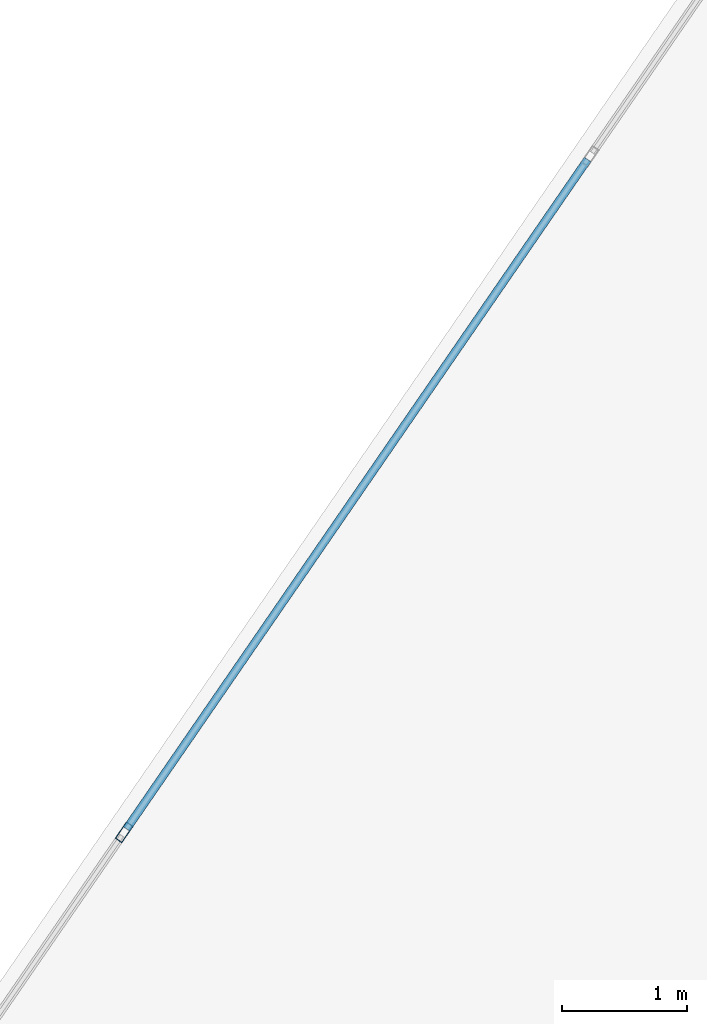
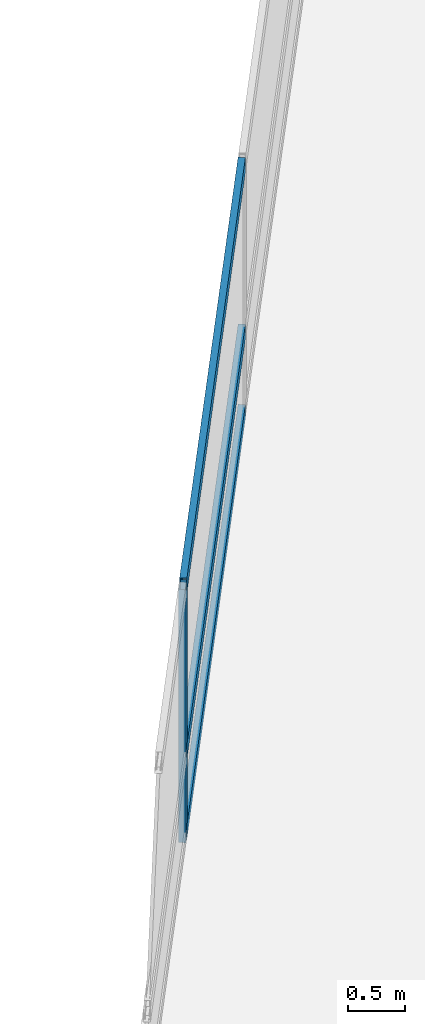
# One storey, part 13 of 25: 4 members, 1 element without a shape of its own.
"""IFC4 building model written with IfcOpenShell, lengths in metres."""

from ifc_helpers import new_model, si_unit, direction, frame, origin, origin_2d, place, context, subcontext, project, spatial, hollow_rectangle, extrude, material, layer, layer_set, material_profile, profile_set, type_object, element, aggregate, save


model = new_model("IFC4")

# Units and contexts
model_context = context("Model", 3, precision=1e-05, world=origin(), true_north=direction((0.0, 1.0)))
body_context = subcontext(model_context, "Body", "Model", "MODEL_VIEW")
ifc_project = project(units=[si_unit("LENGTHUNIT", "METRE"), si_unit("AREAUNIT", "SQUARE_METRE"), si_unit("VOLUMEUNIT", "CUBIC_METRE"), si_unit("PLANEANGLEUNIT", "RADIAN"), si_unit("MASSUNIT", "GRAM", prefix="KILO")], contexts=[model_context])

# Site, building, storey
site_placement = place(None, origin())
site = spatial("IfcSite", under=ifc_project, at=site_placement, CompositionType="ELEMENT")
building_placement = place(site_placement, origin())
building = spatial("IfcBuilding", under=site, at=building_placement, Name="Varnelok Gate Tower", CompositionType="ELEMENT")
storey_placement = place(building_placement, frame((0.0, 0.0, 56.60009765625)))
storey = spatial("IfcBuildingStorey", under=building, at=storey_placement, Name="L13", CompositionType="ELEMENT", Elevation=56.60009765625)

# Curtain wall, members
ifc_material = material(Name="Anodized Aluminum Alloy 6063-T6", Category="aluminium")
ifc_layer = layer(ifc_material, 0.179931640625)
ifc_layer_set = layer_set([ifc_layer], Name="Anodized Aluminum Alloy 6063-T6")
curtain_wall_type = type_object("IfcCurtainWallType", Name="CW3-HOTEL-VISION", PredefinedType="USERDEFINED", material=ifc_layer_set)
curtain_wall_placement = place(storey_placement, origin())
curtain_wall = element("IfcCurtainWall", 1, at=curtain_wall_placement, inside=storey, type_object=curtain_wall_type, Name="L13 West End Vision Curtain Wall", ObjectType="UNITISED CURTAIN WALL", PredefinedType="USERDEFINED")
ifc_material_profile_1 = material_profile(ifc_material, hollow_rectangle(XDim=0.06494140625, YDim=0.159912109375, WallThickness=0.00390625, at=origin_2d()), Name="ALU160X65X4")
ifc_profile_set_1 = profile_set([ifc_material_profile_1], Name="Anodized Aluminum Alloy 6063-T6")
member_type_1 = type_object("IfcMemberType", Name="CW-MULL-160", PredefinedType="MULLION", material=ifc_profile_set_1)
member_1_placement = place(storey_placement, frame((10.7578125, 52.865478515625, 0.0), z_axis=(0.0, 0.0, 1.0), x_axis=(-0.823532685111, 0.567268822124, 0.0)))
member_1 = element("IfcMember", 2, at=member_1_placement, type_object=member_type_1, Name="CW3 mullion 5", PredefinedType="MULLION", context=body_context, shape_type="SweptSolid", body=[
    extrude(hollow_rectangle(XDim=0.06494140625, YDim=0.159912109375, WallThickness=0.00390625, at=origin_2d()), origin(), (0.0, 0.0, 1.0), 2.72998046875),
])
ifc_material_profile_2 = material_profile(ifc_material, hollow_rectangle(XDim=0.06494140625, YDim=0.159912109375, WallThickness=0.00390625, at=origin_2d()), Name="ALU160X65X4")
ifc_profile_set_2 = profile_set([ifc_material_profile_2], Name="Anodized Aluminum Alloy 6063-T6")
member_type_2 = type_object("IfcMemberType", Name="CW-TRAN-160", PredefinedType="USERDEFINED", material=ifc_profile_set_2)
member_2_placement = place(storey_placement, frame((10.7763671875, 52.89208984375, 0.032470703125), z_axis=(0.567261662339, 0.823537616894, 0.0), x_axis=(-0.823537616894, 0.567261662339, 0.0)))
member_2 = element("IfcMember", 3, at=member_2_placement, type_object=member_type_2, Name="CW3 transom 5.1", ObjectType="TRANSOM", PredefinedType="USERDEFINED", context=body_context, shape_type="SweptSolid", body=[
    extrude(hollow_rectangle(XDim=0.06494140625, YDim=0.159912109375, WallThickness=0.00390625, at=origin_2d()), origin(), (0.0, 0.0, 1.0), 6.501708984375),
])
member_3_placement = place(storey_placement, frame((10.7763671875, 52.89208984375, 0.89990234375), z_axis=(0.567261662339, 0.823537616894, 0.0), x_axis=(-0.823537616894, 0.567261662339, 0.0)))
member_3 = element("IfcMember", 4, at=member_3_placement, type_object=member_type_2, Name="CW3 transom 5.2", ObjectType="TRANSOM", PredefinedType="USERDEFINED", context=body_context, shape_type="SweptSolid", body=[
    extrude(hollow_rectangle(XDim=0.06494140625, YDim=0.159912109375, WallThickness=0.00390625, at=origin_2d()), origin(), (0.0, 0.0, 1.0), 6.501708984375),
])
member_4_placement = place(storey_placement, frame((10.7763671875, 52.89208984375, 2.697509765625), z_axis=(0.567261662339, 0.823537616894, 0.0), x_axis=(-0.823537616894, 0.567261662339, 0.0)))
member_4 = element("IfcMember", 5, at=member_4_placement, type_object=member_type_2, Name="CW3 transom 5.3", ObjectType="TRANSOM", PredefinedType="USERDEFINED", context=body_context, shape_type="SweptSolid", body=[
    extrude(hollow_rectangle(XDim=0.06494140625, YDim=0.159912109375, WallThickness=0.00390625, at=origin_2d()), origin(), (0.0, 0.0, 1.0), 6.501708984375),
])
aggregate(curtain_wall, [member_1, member_2, member_3, member_4])

save(model, "model.ifc")
